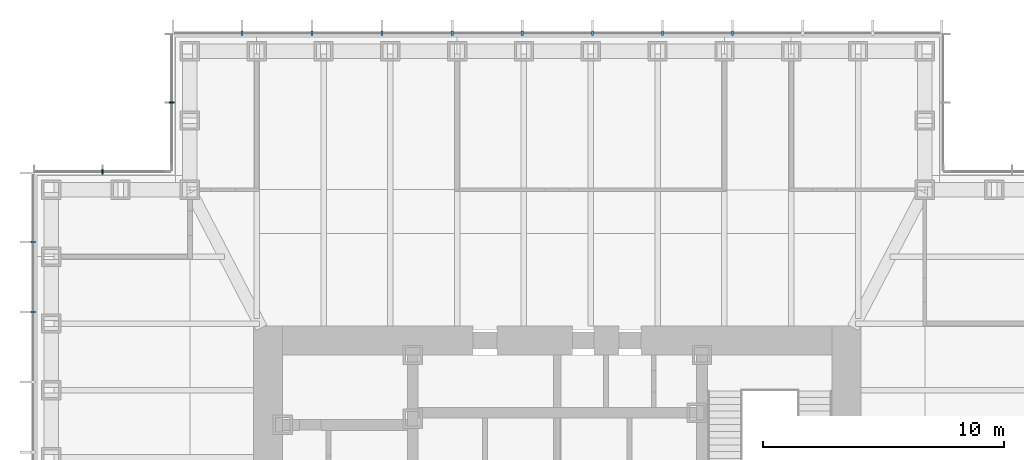
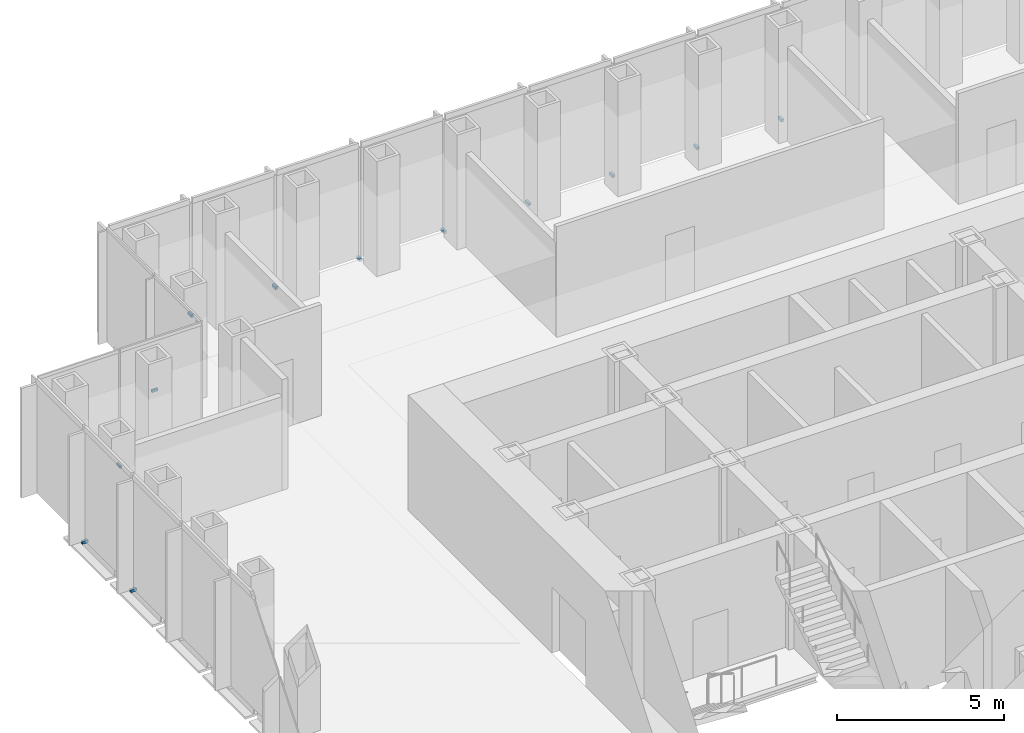
# One storey, part 14 of 16: 12 discrete accessories.
"""IFC4 building model written with IfcOpenShell, lengths in metres."""

from ifc_helpers import new_model, si_unit, direction, frame, origin, origin_2d, place, context, subcontext, project, spatial, rectangle, extrude, element, save


model = new_model("IFC4")

# Units and contexts
model_context = context("Model", 3, precision=1e-05, world=origin(), true_north=direction((0.0, 1.0)))
body_context = subcontext(model_context, "Body", "Model", "MODEL_VIEW")
ifc_project = project(units=[si_unit("LENGTHUNIT", "METRE"), si_unit("AREAUNIT", "SQUARE_METRE"), si_unit("VOLUMEUNIT", "CUBIC_METRE"), si_unit("PLANEANGLEUNIT", "RADIAN"), si_unit("MASSUNIT", "GRAM", prefix="KILO")], contexts=[model_context])

# Site, building, storey
site_placement = place(None, origin())
site = spatial("IfcSite", under=ifc_project, at=site_placement, CompositionType="ELEMENT")
building_placement = place(site_placement, origin())
building = spatial("IfcBuilding", under=site, at=building_placement, Name="Daluyong Arena Tower", CompositionType="ELEMENT")
storey_placement = place(building_placement, frame((0.0, 0.0, 258.699951171875)))
storey = spatial("IfcBuildingStorey", under=building, at=storey_placement, Name="L58", CompositionType="ELEMENT", Elevation=258.699951171875)

# Discrete accessories
for number, where, z_axis, x_axis, name in (
    (1, (63.272705078125, 101.75, -0.10009765625), (0.0, 0.0, 1.0), (-1.0, 0.0, 0.0), "curtain wall L58 N anchor bracket 4"),
    (2, (60.363525390625, 101.75, -0.10009765625), (0.0, 0.0, 1.0), (-1.0, 0.0, 0.0), "curtain wall L58 N anchor bracket 5"),
    (3, (57.45458984375, 101.75, -0.10009765625), (0.0, 0.0, 1.0), (-1.0, 0.0, 0.0), "curtain wall L58 N anchor bracket 6"),
    (4, (54.54541015625, 101.75, -0.10009765625), (0.0, 0.0, 1.0), (-1.0, 0.0, 0.0), "curtain wall L58 N anchor bracket 7"),
    (5, (51.636474609375, 101.75, -0.10009765625), (0.0, 0.0, 1.0), (-1.0, 0.0, 0.0), "curtain wall L58 N anchor bracket 8"),
    (6, (48.727294921875, 101.75, -0.10009765625), (0.0, 0.0, 1.0), (-1.0, 0.0, 0.0), "curtain wall L58 N anchor bracket 9"),
    (7, (45.818115234375, 101.75, -0.10009765625), (0.0, 0.0, 1.0), (-1.0, 0.0, 0.0), "curtain wall L58 N anchor bracket 10"),
    (8, (42.9091796875, 101.75, -0.10009765625), (0.0, 0.0, 1.0), (-1.0, 0.0, 0.0), "curtain wall L58 N anchor bracket 11"),
):
    element("IfcDiscreteAccessory", number, at=place(storey_placement, frame(where, z_axis=z_axis, x_axis=x_axis)), inside=storey, Name=name, PredefinedType="BRACKET", context=body_context, shape_type="SweptSolid", body=[
        extrude(rectangle(XDim=0.090087890625, YDim=0.199951171875, at=origin_2d()), origin(), (0.0, 0.0, 1.0), 0.10009765625),
    ])
for number, where, z_axis, x_axis, name in (
    (9, (40.0, 98.875, -0.10009765625), (0.0, 0.0, 1.0), (0.0, -1.0, 0.0), "curtain wall L58 NW-W anchor bracket 2"),
    (10, (37.125, 96.0, -0.10009765625), (0.0, 0.0, 1.0), (-1.0, 0.0, 0.0), "curtain wall L58 NW-N anchor bracket 2"),
):
    element("IfcDiscreteAccessory", number, at=place(storey_placement, frame(where, z_axis=z_axis, x_axis=x_axis)), inside=storey, Name=name, PredefinedType="BRACKET", context=body_context, shape_type="SweptSolid", body=[
        extrude(rectangle(XDim=0.06005859375, YDim=0.199951171875, at=origin_2d()), origin(), (0.0, 0.0, 1.0), 0.10009765625),
    ])
for number, where, z_axis, x_axis, name in (
    (11, (34.25, 93.0908203125, -0.10009765625), (0.0, 0.0, 1.0), (0.0, -1.0, 0.0), "curtain wall L58 W anchor bracket 2"),
    (12, (34.25, 90.181884765625, -0.10009765625), (0.0, 0.0, 1.0), (0.0, -1.0, 0.0), "curtain wall L58 W anchor bracket 3"),
):
    element("IfcDiscreteAccessory", number, at=place(storey_placement, frame(where, z_axis=z_axis, x_axis=x_axis)), inside=storey, Name=name, PredefinedType="BRACKET", context=body_context, shape_type="SweptSolid", body=[
        extrude(rectangle(XDim=0.090087890625, YDim=0.199951171875, at=origin_2d()), origin(), (0.0, 0.0, 1.0), 0.10009765625),
    ])

save(model, "model.ifc")
